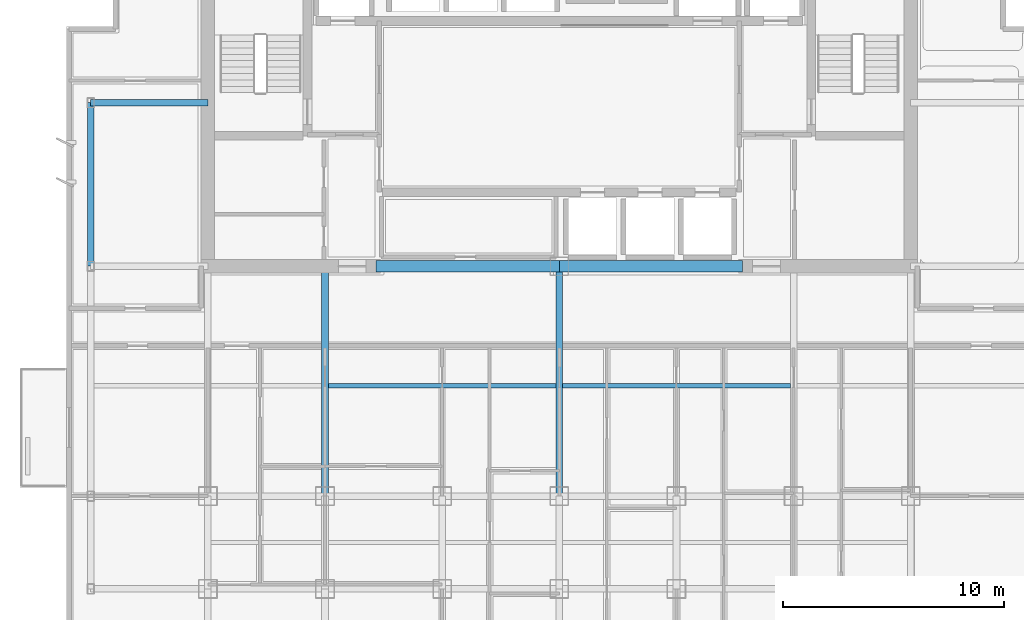
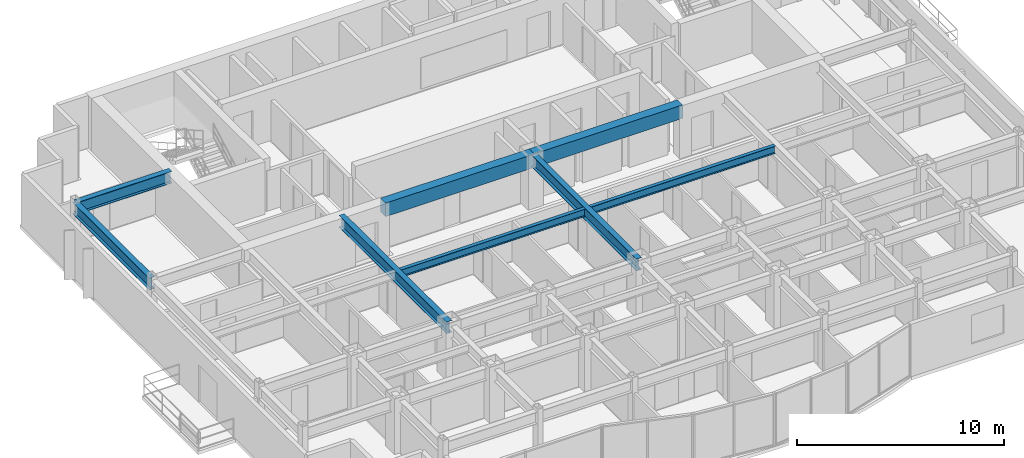
# One storey, part 3 of 11: 8 beams.
"""IFC4 building model written with IfcOpenShell, lengths in metres."""

from ifc_helpers import new_model, si_unit, direction, frame, origin, origin_2d, place, context, subcontext, project, spatial, rectangle, i_section, extrude, material, material_profile, profile_set, type_object, element, save


model = new_model("IFC4")

# Units and contexts
model_context = context("Model", 3, precision=1e-05, world=origin(), true_north=direction((0.0, 1.0)))
body_context = subcontext(model_context, "Body", "Model", "MODEL_VIEW")
ifc_project = project(units=[si_unit("LENGTHUNIT", "METRE"), si_unit("AREAUNIT", "SQUARE_METRE"), si_unit("VOLUMEUNIT", "CUBIC_METRE"), si_unit("PLANEANGLEUNIT", "RADIAN"), si_unit("MASSUNIT", "GRAM", prefix="KILO")], contexts=[model_context])

# Site, building, storey
site_placement = place(None, origin())
site = spatial("IfcSite", under=ifc_project, at=site_placement, CompositionType="ELEMENT")
building_placement = place(site_placement, origin())
building = spatial("IfcBuilding", under=site, at=building_placement, Name="Qianlan Lanfeng Residences", CompositionType="ELEMENT")
storey_placement = place(building_placement, frame((0.0, 0.0, 172.199951171875)))
storey = spatial("IfcBuildingStorey", under=building, at=storey_placement, Name="L47", CompositionType="ELEMENT", Elevation=172.199951171875)

# Beams
ifc_material_1 = material(Name="Steel SN490B", Category="steel")
ifc_material_profile_1 = material_profile(ifc_material_1, i_section(OverallWidth=0.300048828125, OverallDepth=0.699951171875, WebThickness=0.012939453125, FlangeThickness=0.02392578125, at=origin_2d()), Name="H 700x300x13x24")
ifc_profile_set_1 = profile_set([ifc_material_profile_1], Name="Steel SN490B")
beam_type_1 = type_object("IfcBeamType", Name="G-750", PredefinedType="BEAM", material=ifc_profile_set_1)
beam_1_placement = place(storey_placement, frame((5.300048828125, 32.60009765625, 2.75), z_axis=(1.0, 0.0, 0.0), x_axis=(0.0, 1.0, 0.0)))
element("IfcBeam", 1, at=beam_1_placement, inside=storey, type_object=beam_type_1, Name="Structural beam G-750", PredefinedType="BEAM", context=body_context, shape_type="SweptSolid", body=[
    extrude(i_section(OverallWidth=0.300048828125, OverallDepth=0.699951171875, WebThickness=0.012939453125, FlangeThickness=0.02392578125, at=origin_2d()), origin(), (0.0, 0.0, 1.0), 5.300048828125),
])
for number, where, z_axis, x_axis, name in (
    (2, (15.89990234375, 14.800048828125, 2.75), (0.0, 1.0, 0.0), (-1.0, 0.0, 0.0), "Structural beam G-750"),
    (3, (26.5, 14.800048828125, 2.75), (0.0, 1.0, 0.0), (-1.0, 0.0, 0.0), "Structural beam G-750"),
):
    element("IfcBeam", number, at=place(storey_placement, frame(where, z_axis=z_axis, x_axis=x_axis)), inside=storey, type_object=beam_type_1, Name=name, PredefinedType="BEAM", context=body_context, shape_type="SweptSolid", body=[
        extrude(i_section(OverallWidth=0.300048828125, OverallDepth=0.699951171875, WebThickness=0.012939453125, FlangeThickness=0.02392578125, at=origin_2d()), origin(), (0.0, 0.0, 1.0), 10.39990234375),
    ])
ifc_material_profile_2 = material_profile(ifc_material_1, i_section(OverallWidth=0.199951171875, OverallDepth=0.449951171875, WebThickness=0.009033203125, FlangeThickness=0.013916015625, at=origin_2d()), Name="H 450x200x9x14")
ifc_profile_set_2 = profile_set([ifc_material_profile_2], Name="Steel SN490B")
beam_type_2 = type_object("IfcBeamType", Name="J-450", PredefinedType="JOIST", material=ifc_profile_set_2)
for number, where, z_axis, x_axis, name in (
    (4, (16.050048828125, 19.800048828125, 2.875), (1.0, 0.0, 0.0), (0.0, 1.0, 0.0), "Structural beam J-450"),
    (5, (26.64990234375, 19.800048828125, 2.875), (1.0, 0.0, 0.0), (0.0, 1.0, 0.0), "Structural beam J-450"),
):
    element("IfcBeam", number, at=place(storey_placement, frame(where, z_axis=z_axis, x_axis=x_axis)), inside=storey, type_object=beam_type_2, Name=name, PredefinedType="JOIST", context=body_context, shape_type="SweptSolid", body=[
        extrude(i_section(OverallWidth=0.199951171875, OverallDepth=0.449951171875, WebThickness=0.009033203125, FlangeThickness=0.013916015625, at=origin_2d()), origin(), (0.0, 0.0, 1.0), 10.300048828125),
    ])
ifc_material_2 = material(Name="Concrete C49", Category="concrete")
ifc_material_profile_3 = material_profile(ifc_material_2, rectangle(XDim=0.5, YDim=0.800048828125, at=origin_2d()), Name="RC 500x800")
ifc_profile_set_3 = profile_set([ifc_material_profile_3], Name="Concrete C49")
beam_type_3 = type_object("IfcBeamType", Name="LB-RC750", PredefinedType="BEAM", material=ifc_profile_set_3)
for number, where, z_axis, x_axis, name in (
    (6, (18.199951171875, 25.199951171875, 2.699951171875), (1.0, 0.0, 0.0), (0.0, 1.0, 0.0), "L47 Core Coupling Beam W"),
    (7, (26.5, 25.199951171875, 2.699951171875), (1.0, 0.0, 0.0), (0.0, 1.0, 0.0), "L47 Core Coupling Beam E"),
):
    element("IfcBeam", number, at=place(storey_placement, frame(where, z_axis=z_axis, x_axis=x_axis)), inside=storey, type_object=beam_type_3, Name=name, PredefinedType="BEAM", context=body_context, shape_type="SweptSolid", body=[
        extrude(rectangle(XDim=0.5, YDim=0.800048828125, at=origin_2d()), origin(), (0.0, 0.0, 1.0), 8.300048828125),
    ])
ifc_material_profile_4 = material_profile(ifc_material_1, i_section(OverallWidth=0.300048828125, OverallDepth=0.699951171875, WebThickness=0.012939453125, FlangeThickness=0.02392578125, at=origin_2d()), Name="H 700x300x13x24")
ifc_profile_set_4 = profile_set([ifc_material_profile_4], Name="Steel SN490B")
beam_type_4 = type_object("IfcBeamType", Name="SG-750", PredefinedType="SPANDREL", material=ifc_profile_set_4)
beam_2_placement = place(storey_placement, frame((5.300048828125, 25.199951171875, 2.739990234375), z_axis=(0.0, 1.0, 0.0), x_axis=(-1.0, 0.0, 0.0)))
element("IfcBeam", 8, at=beam_2_placement, inside=storey, type_object=beam_type_4, Name="Structural beam SG-750", PredefinedType="SPANDREL", context=body_context, shape_type="SweptSolid", body=[
    extrude(i_section(OverallWidth=0.300048828125, OverallDepth=0.699951171875, WebThickness=0.012939453125, FlangeThickness=0.02392578125, at=origin_2d()), origin(), (0.0, 0.0, 1.0), 7.400146484375),
])

save(model, "model.ifc")
